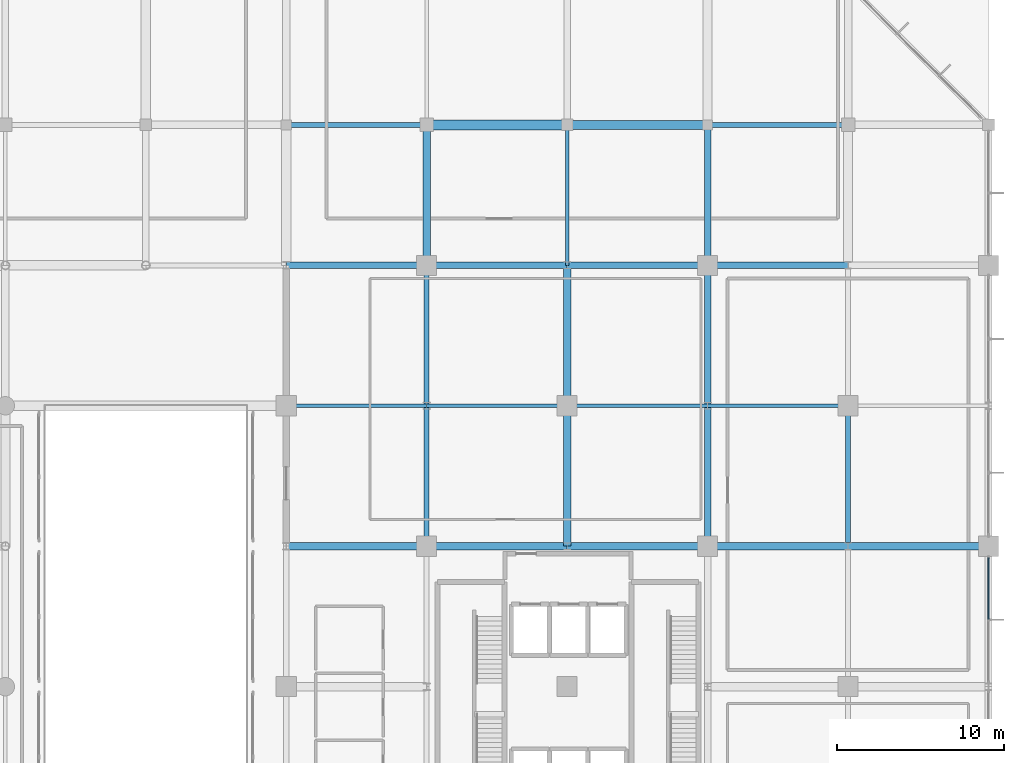
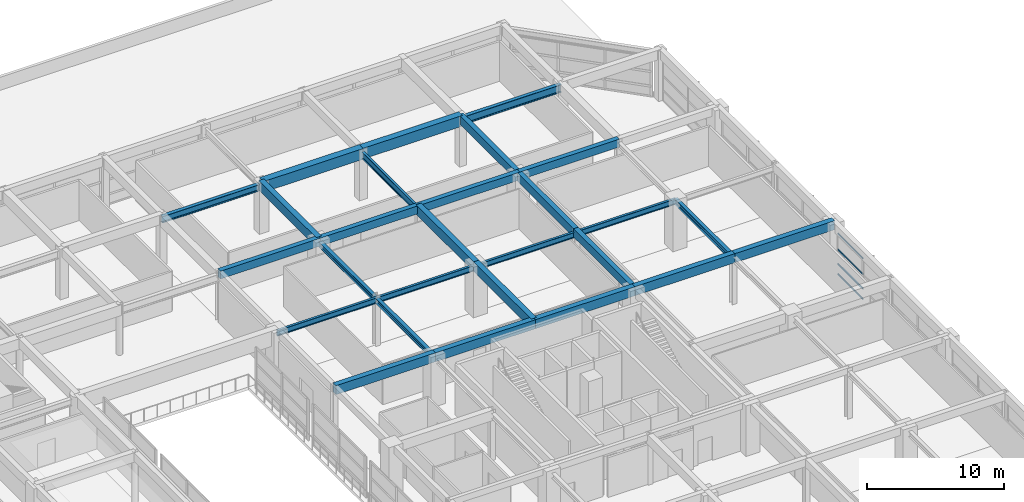
# One storey, part 32 of 60: 27 beams, 4 members, 1 element without a shape of its own.
"""IFC4 building model written with IfcOpenShell, lengths in metres."""

from ifc_helpers import new_model, si_unit, direction, frame, origin, origin_2d, place, context, subcontext, project, spatial, rectangle, i_section, extrude, material, material_profile, profile_set, type_object, element, aggregate, save


model = new_model("IFC4")

# Units and contexts
model_context = context("Model", 3, precision=1e-05, world=origin(), true_north=direction((0.0, 1.0)))
body_context = subcontext(model_context, "Body", "Model", "MODEL_VIEW")
ifc_project = project(units=[si_unit("LENGTHUNIT", "METRE"), si_unit("AREAUNIT", "SQUARE_METRE"), si_unit("VOLUMEUNIT", "CUBIC_METRE"), si_unit("PLANEANGLEUNIT", "RADIAN"), si_unit("MASSUNIT", "GRAM", prefix="KILO")], contexts=[model_context])

# Site, building, storey
site_placement = place(None, origin())
site = spatial("IfcSite", under=ifc_project, at=site_placement, CompositionType="ELEMENT")
building_placement = place(site_placement, origin())
building = spatial("IfcBuilding", under=site, at=building_placement, Name="Xuanlan Plaza Opera House", CompositionType="ELEMENT")
storey_placement = place(building_placement, frame((0.0, 0.0, 9.89990234375)))
storey = spatial("IfcBuildingStorey", under=building, at=storey_placement, Name="L02", CompositionType="ELEMENT", Elevation=9.89990234375)

# Curtain wall, members
ifc_material_1 = material(Name="Anodised Aluminium 6063-T6 and Low-E Glass", Category="aluminium")
curtain_wall_type = type_object("IfcCurtainWallType", Name="ENV-CW-CW-04", PredefinedType="USERDEFINED", material=ifc_material_1)
curtain_wall_placement = place(storey_placement, origin())
curtain_wall = element("IfcCurtainWall", 1, at=curtain_wall_placement, inside=storey, type_object=curtain_wall_type, Name="Unitised Curtain Wall L02-024", ObjectType="UNITISED CURTAIN WALL", PredefinedType="USERDEFINED")
ifc_material_2 = material(Name="Anodised Aluminium 6063-T6", Category="aluminium")
ifc_material_profile_1 = material_profile(ifc_material_2, rectangle(XDim=0.070068359375, YDim=0.135009765625, at=origin_2d()), Name="ALU-T 70x135")
ifc_profile_set_1 = profile_set([ifc_material_profile_1], Name="Anodised Aluminium 6063-T6")
member_type = type_object("IfcMemberType", Name="ENV-CWT-02", PredefinedType="USERDEFINED", material=ifc_profile_set_1)
member_1_placement = place(storey_placement, frame((168.0, 62.841064453125, 0.03515625), z_axis=(0.0, 1.0, 0.0), x_axis=(-1.0, 0.0, 0.0)))
member_1 = element("IfcMember", 2, at=member_1_placement, type_object=member_type, Name="CW-04 transom 2.1", ObjectType="TRANSOM", PredefinedType="USERDEFINED", context=body_context, shape_type="SweptSolid", body=[
    extrude(rectangle(XDim=0.070068359375, YDim=0.135009765625, at=origin_2d()), origin(), (0.0, 0.0, 1.0), 3.663818359375),
])
member_2_placement = place(storey_placement, frame((168.0, 62.841064453125, 0.9501953125), z_axis=(0.0, 1.0, 0.0), x_axis=(-1.0, 0.0, 0.0)))
member_2 = element("IfcMember", 3, at=member_2_placement, type_object=member_type, Name="CW-04 transom 2.2", ObjectType="TRANSOM", PredefinedType="USERDEFINED", context=body_context, shape_type="SweptSolid", body=[
    extrude(rectangle(XDim=0.070068359375, YDim=0.135009765625, at=origin_2d()), origin(), (0.0, 0.0, 1.0), 3.663818359375),
])
member_3_placement = place(storey_placement, frame((168.0, 62.841064453125, 2.25), z_axis=(0.0, 1.0, 0.0), x_axis=(-1.0, 0.0, 0.0)))
member_3 = element("IfcMember", 4, at=member_3_placement, type_object=member_type, Name="CW-04 transom 2.3", ObjectType="TRANSOM", PredefinedType="USERDEFINED", context=body_context, shape_type="SweptSolid", body=[
    extrude(rectangle(XDim=0.070068359375, YDim=0.135009765625, at=origin_2d()), origin(), (0.0, 0.0, 1.0), 3.663818359375),
])
member_4_placement = place(storey_placement, frame((168.0, 62.841064453125, 3.64501953125), z_axis=(0.0, 1.0, 0.0), x_axis=(-1.0, 0.0, 0.0)))
member_4 = element("IfcMember", 5, at=member_4_placement, type_object=member_type, Name="CW-04 transom 2.4", ObjectType="TRANSOM", PredefinedType="USERDEFINED", context=body_context, shape_type="SweptSolid", body=[
    extrude(rectangle(XDim=0.070068359375, YDim=0.135009765625, at=origin_2d()), origin(), (0.0, 0.0, 1.0), 3.663818359375),
])
aggregate(curtain_wall, [member_1, member_2, member_3, member_4])

# Beams
ifc_material_3 = material(Name="Concrete C50", Category="concrete")
ifc_material_profile_2 = material_profile(ifc_material_3, rectangle(XDim=0.60009765625, YDim=0.949951171875, at=origin_2d()), Name="RC-BM 600x950")
ifc_profile_set_2 = profile_set([ifc_material_profile_2], Name="Concrete C50")
beam_type_1 = type_object("IfcBeamType", Name="STR-BM-B-01", PredefinedType="BEAM", material=ifc_profile_set_2)
beam_1_placement = place(storey_placement, frame((134.39990234375, 92.39990234375, 4.025146484375), z_axis=(1.0, 0.0, 0.0), x_axis=(0.0, 1.0, 0.0)))
element("IfcBeam", 6, at=beam_1_placement, inside=storey, type_object=beam_type_1, Name="Grid Beam X L02 17-18/L", PredefinedType="BEAM", context=body_context, shape_type="SweptSolid", body=[
    extrude(rectangle(XDim=0.60009765625, YDim=0.949951171875, at=origin_2d()), origin(), (0.0, 0.0, 1.0), 8.400146484375),
])
ifc_material_profile_3 = material_profile(ifc_material_3, rectangle(XDim=0.550048828125, YDim=0.949951171875, at=origin_2d()), Name="RC-BM 550x950")
ifc_profile_set_3 = profile_set([ifc_material_profile_3], Name="Concrete C50")
beam_type_2 = type_object("IfcBeamType", Name="STR-BM-B-02", PredefinedType="BEAM", material=ifc_profile_set_3)
beam_2_placement = place(storey_placement, frame((142.800048828125, 92.39990234375, 4.025146484375), z_axis=(1.0, 0.0, 0.0), x_axis=(0.0, 1.0, 0.0)))
element("IfcBeam", 7, at=beam_2_placement, inside=storey, type_object=beam_type_2, Name="Grid Beam X L02 18-19/L", PredefinedType="BEAM", context=body_context, shape_type="SweptSolid", body=[
    extrude(rectangle(XDim=0.550048828125, YDim=0.949951171875, at=origin_2d()), origin(), (0.0, 0.0, 1.0), 8.39990234375),
])
ifc_material_4 = material(Name="Concrete C40", Category="concrete")
ifc_material_profile_4 = material_profile(ifc_material_4, rectangle(XDim=0.449951171875, YDim=0.85009765625, at=origin_2d()), Name="RC-BM 450x850")
ifc_profile_set_4 = profile_set([ifc_material_profile_4], Name="Concrete C40")
beam_type_3 = type_object("IfcBeamType", Name="STR-BM-B-04", PredefinedType="BEAM", material=ifc_profile_set_4)
beam_3_placement = place(storey_placement, frame((134.39990234375, 84.0, 4.0751953125), z_axis=(0.0, 1.0, 0.0), x_axis=(-1.0, 0.0, 0.0)))
element("IfcBeam", 8, at=beam_3_placement, inside=storey, type_object=beam_type_3, Name="Grid Beam Y L02 17/K-L", PredefinedType="BEAM", context=body_context, shape_type="SweptSolid", body=[
    extrude(rectangle(XDim=0.449951171875, YDim=0.85009765625, at=origin_2d()), origin(), (0.0, 0.0, 1.0), 8.39990234375),
])
beam_4_placement = place(storey_placement, frame((142.800048828125, 67.199951171875, 4.0751953125), z_axis=(0.0, 1.0, 0.0), x_axis=(-1.0, 0.0, 0.0)))
element("IfcBeam", 9, at=beam_4_placement, inside=storey, type_object=beam_type_3, Name="Grid Beam Y L02 18/I-J", PredefinedType="BEAM", context=body_context, shape_type="SweptSolid", body=[
    extrude(rectangle(XDim=0.449951171875, YDim=0.85009765625, at=origin_2d()), origin(), (0.0, 0.0, 1.0), 8.400146484375),
])
beam_5_placement = place(storey_placement, frame((142.800048828125, 75.60009765625, 4.0751953125), z_axis=(0.0, 1.0, 0.0), x_axis=(-1.0, 0.0, 0.0)))
element("IfcBeam", 10, at=beam_5_placement, inside=storey, type_object=beam_type_3, Name="Grid Beam Y L02 18/J-K", PredefinedType="BEAM", context=body_context, shape_type="SweptSolid", body=[
    extrude(rectangle(XDim=0.449951171875, YDim=0.85009765625, at=origin_2d()), origin(), (0.0, 0.0, 1.0), 8.39990234375),
])
ifc_material_profile_5 = material_profile(ifc_material_4, rectangle(XDim=0.449951171875, YDim=0.800048828125, at=origin_2d()), Name="RC-BM 450x800")
ifc_profile_set_5 = profile_set([ifc_material_profile_5], Name="Concrete C40")
beam_type_4 = type_object("IfcBeamType", Name="STR-BM-B-05", PredefinedType="BEAM", material=ifc_profile_set_5)
beam_6_placement = place(storey_placement, frame((126.0, 67.199951171875, 4.10009765625), z_axis=(1.0, 0.0, 0.0), x_axis=(0.0, 1.0, 0.0)))
element("IfcBeam", 11, at=beam_6_placement, inside=storey, type_object=beam_type_4, Name="Grid Beam X L02 16-17/I", PredefinedType="BEAM", context=body_context, shape_type="SweptSolid", body=[
    extrude(rectangle(XDim=0.449951171875, YDim=0.800048828125, at=origin_2d()), origin(), (0.0, 0.0, 1.0), 8.39990234375),
])
beam_7_placement = place(storey_placement, frame((134.39990234375, 67.199951171875, 4.10009765625), z_axis=(1.0, 0.0, 0.0), x_axis=(0.0, 1.0, 0.0)))
element("IfcBeam", 12, at=beam_7_placement, inside=storey, type_object=beam_type_4, Name="Grid Beam X L02 17-18/I", PredefinedType="BEAM", context=body_context, shape_type="SweptSolid", body=[
    extrude(rectangle(XDim=0.449951171875, YDim=0.800048828125, at=origin_2d()), origin(), (0.0, 0.0, 1.0), 8.400146484375),
])
beam_8_placement = place(storey_placement, frame((142.800048828125, 67.199951171875, 4.10009765625), z_axis=(1.0, 0.0, 0.0), x_axis=(0.0, 1.0, 0.0)))
element("IfcBeam", 13, at=beam_8_placement, inside=storey, type_object=beam_type_4, Name="Grid Beam X L02 18-19/I", PredefinedType="BEAM", context=body_context, shape_type="SweptSolid", body=[
    extrude(rectangle(XDim=0.449951171875, YDim=0.800048828125, at=origin_2d()), origin(), (0.0, 0.0, 1.0), 8.39990234375),
])
beam_9_placement = place(storey_placement, frame((151.199951171875, 67.199951171875, 4.10009765625), z_axis=(1.0, 0.0, 0.0), x_axis=(0.0, 1.0, 0.0)))
element("IfcBeam", 14, at=beam_9_placement, inside=storey, type_object=beam_type_4, Name="Grid Beam X L02 19-20/I", PredefinedType="BEAM", context=body_context, shape_type="SweptSolid", body=[
    extrude(rectangle(XDim=0.449951171875, YDim=0.800048828125, at=origin_2d()), origin(), (0.0, 0.0, 1.0), 8.400146484375),
])
beam_10_placement = place(storey_placement, frame((159.60009765625, 67.199951171875, 4.10009765625), z_axis=(1.0, 0.0, 0.0), x_axis=(0.0, 1.0, 0.0)))
element("IfcBeam", 15, at=beam_10_placement, inside=storey, type_object=beam_type_4, Name="Grid Beam X L02 20-21/I", PredefinedType="BEAM", context=body_context, shape_type="SweptSolid", body=[
    extrude(rectangle(XDim=0.449951171875, YDim=0.800048828125, at=origin_2d()), origin(), (0.0, 0.0, 1.0), 8.39990234375),
])
ifc_material_profile_6 = material_profile(ifc_material_4, rectangle(XDim=0.39990234375, YDim=0.75, at=origin_2d()), Name="RC-BM 400x750")
ifc_profile_set_6 = profile_set([ifc_material_profile_6], Name="Concrete C40")
beam_type_5 = type_object("IfcBeamType", Name="STR-BM-B-06", PredefinedType="BEAM", material=ifc_profile_set_6)
beam_11_placement = place(storey_placement, frame((151.199951171875, 67.199951171875, 4.125), z_axis=(0.0, 1.0, 0.0), x_axis=(-1.0, 0.0, 0.0)))
element("IfcBeam", 16, at=beam_11_placement, inside=storey, type_object=beam_type_5, Name="Grid Beam Y L02 19/I-J", PredefinedType="BEAM", context=body_context, shape_type="SweptSolid", body=[
    extrude(rectangle(XDim=0.39990234375, YDim=0.75, at=origin_2d()), origin(), (0.0, 0.0, 1.0), 8.400146484375),
])
for number, where, z_axis, x_axis, name in (
    (17, (151.199951171875, 75.60009765625, 4.125), (0.0, 1.0, 0.0), (-1.0, 0.0, 0.0), "Grid Beam Y L02 19/J-K"),
    (18, (151.199951171875, 84.0, 4.125), (0.0, 1.0, 0.0), (-1.0, 0.0, 0.0), "Grid Beam Y L02 19/K-L"),
):
    element("IfcBeam", number, at=place(storey_placement, frame(where, z_axis=z_axis, x_axis=x_axis)), inside=storey, type_object=beam_type_5, Name=name, PredefinedType="BEAM", context=body_context, shape_type="SweptSolid", body=[
        extrude(rectangle(XDim=0.39990234375, YDim=0.75, at=origin_2d()), origin(), (0.0, 0.0, 1.0), 8.39990234375),
    ])
ifc_material_profile_7 = material_profile(ifc_material_4, rectangle(XDim=0.39990234375, YDim=0.699951171875, at=origin_2d()), Name="RC-BM 400x700")
ifc_profile_set_7 = profile_set([ifc_material_profile_7], Name="Concrete C40")
beam_type_6 = type_object("IfcBeamType", Name="STR-BM-B-07", PredefinedType="BEAM", material=ifc_profile_set_7)
beam_12_placement = place(storey_placement, frame((126.0, 84.0, 4.150146484375), z_axis=(1.0, 0.0, 0.0), x_axis=(0.0, 1.0, 0.0)))
element("IfcBeam", 19, at=beam_12_placement, inside=storey, type_object=beam_type_6, Name="Grid Beam X L02 16-17/K", PredefinedType="BEAM", context=body_context, shape_type="SweptSolid", body=[
    extrude(rectangle(XDim=0.39990234375, YDim=0.699951171875, at=origin_2d()), origin(), (0.0, 0.0, 1.0), 8.39990234375),
])
beam_13_placement = place(storey_placement, frame((134.39990234375, 84.0, 4.150146484375), z_axis=(1.0, 0.0, 0.0), x_axis=(0.0, 1.0, 0.0)))
element("IfcBeam", 20, at=beam_13_placement, inside=storey, type_object=beam_type_6, Name="Grid Beam X L02 17-18/K", PredefinedType="BEAM", context=body_context, shape_type="SweptSolid", body=[
    extrude(rectangle(XDim=0.39990234375, YDim=0.699951171875, at=origin_2d()), origin(), (0.0, 0.0, 1.0), 8.400146484375),
])
beam_14_placement = place(storey_placement, frame((142.800048828125, 84.0, 4.150146484375), z_axis=(1.0, 0.0, 0.0), x_axis=(0.0, 1.0, 0.0)))
element("IfcBeam", 21, at=beam_14_placement, inside=storey, type_object=beam_type_6, Name="Grid Beam X L02 18-19/K", PredefinedType="BEAM", context=body_context, shape_type="SweptSolid", body=[
    extrude(rectangle(XDim=0.39990234375, YDim=0.699951171875, at=origin_2d()), origin(), (0.0, 0.0, 1.0), 8.39990234375),
])
beam_15_placement = place(storey_placement, frame((151.199951171875, 84.0, 4.150146484375), z_axis=(1.0, 0.0, 0.0), x_axis=(0.0, 1.0, 0.0)))
element("IfcBeam", 22, at=beam_15_placement, inside=storey, type_object=beam_type_6, Name="Grid Beam X L02 19-20/K", PredefinedType="BEAM", context=body_context, shape_type="SweptSolid", body=[
    extrude(rectangle(XDim=0.39990234375, YDim=0.699951171875, at=origin_2d()), origin(), (0.0, 0.0, 1.0), 8.400146484375),
])
ifc_material_5 = material(Name="Steel Q355B", Category="steel")
ifc_material_profile_8 = material_profile(ifc_material_5, i_section(OverallWidth=0.300048828125, OverallDepth=0.699951171875, WebThickness=0.012939453125, FlangeThickness=0.02392578125, FilletRadius=0.02392578125, at=origin_2d()), Name="HN 700x300x13x24")
ifc_profile_set_8 = profile_set([ifc_material_profile_8], Name="Steel Q355B")
beam_type_7 = type_object("IfcBeamType", Name="STR-BM-SB-03", PredefinedType="BEAM", material=ifc_profile_set_8)
beam_16_placement = place(storey_placement, frame((151.199951171875, 92.39990234375, 3.885009765625), z_axis=(1.0, 0.0, 0.0), x_axis=(0.0, 1.0, 0.0)))
element("IfcBeam", 23, at=beam_16_placement, inside=storey, type_object=beam_type_7, Name="Grid Beam X L02 19-20/L", PredefinedType="BEAM", context=body_context, shape_type="SweptSolid", body=[
    extrude(i_section(OverallWidth=0.300048828125, OverallDepth=0.699951171875, WebThickness=0.012939453125, FlangeThickness=0.02392578125, FilletRadius=0.02392578125, at=origin_2d()), origin(), (0.0, 0.0, 1.0), 8.400146484375),
])
ifc_material_profile_9 = material_profile(ifc_material_5, i_section(OverallWidth=0.199951171875, OverallDepth=0.60009765625, WebThickness=0.010986328125, FlangeThickness=0.01708984375, FilletRadius=0.02197265625, at=origin_2d()), Name="HN 600x200x11x17")
ifc_profile_set_9 = profile_set([ifc_material_profile_9], Name="Steel Q355B")
beam_type_8 = type_object("IfcBeamType", Name="STR-BM-SB-04", PredefinedType="BEAM", material=ifc_profile_set_9)
beam_17_placement = place(storey_placement, frame((142.800048828125, 84.0, 3.93505859375), z_axis=(0.0, 1.0, 0.0), x_axis=(-1.0, 0.0, 0.0)))
element("IfcBeam", 24, at=beam_17_placement, inside=storey, type_object=beam_type_8, Name="Grid Beam Y L02 18/K-L", PredefinedType="BEAM", context=body_context, shape_type="SweptSolid", body=[
    extrude(i_section(OverallWidth=0.199951171875, OverallDepth=0.60009765625, WebThickness=0.010986328125, FlangeThickness=0.01708984375, FilletRadius=0.02197265625, at=origin_2d()), origin(), (0.0, 0.0, 1.0), 8.39990234375),
])
ifc_material_profile_10 = material_profile(ifc_material_5, i_section(OverallWidth=0.199951171875, OverallDepth=0.5, WebThickness=0.010009765625, FlangeThickness=0.01611328125, FilletRadius=0.02001953125, at=origin_2d()), Name="HN 500x200x10x16")
ifc_profile_set_10 = profile_set([ifc_material_profile_10], Name="Steel Q355B")
beam_type_9 = type_object("IfcBeamType", Name="STR-BM-SB-05", PredefinedType="BEAM", material=ifc_profile_set_10)
beam_18_placement = place(storey_placement, frame((126.0, 75.60009765625, 3.985107421875), z_axis=(1.0, 0.0, 0.0), x_axis=(0.0, 1.0, 0.0)))
element("IfcBeam", 25, at=beam_18_placement, inside=storey, type_object=beam_type_9, Name="Grid Beam X L02 16-17/J", PredefinedType="BEAM", context=body_context, shape_type="SweptSolid", body=[
    extrude(i_section(OverallWidth=0.199951171875, OverallDepth=0.5, WebThickness=0.010009765625, FlangeThickness=0.01611328125, FilletRadius=0.02001953125, at=origin_2d()), origin(), (0.0, 0.0, 1.0), 8.39990234375),
])
beam_19_placement = place(storey_placement, frame((134.39990234375, 75.60009765625, 3.985107421875), z_axis=(1.0, 0.0, 0.0), x_axis=(0.0, 1.0, 0.0)))
element("IfcBeam", 26, at=beam_19_placement, inside=storey, type_object=beam_type_9, Name="Grid Beam X L02 17-18/J", PredefinedType="BEAM", context=body_context, shape_type="SweptSolid", body=[
    extrude(i_section(OverallWidth=0.199951171875, OverallDepth=0.5, WebThickness=0.010009765625, FlangeThickness=0.01611328125, FilletRadius=0.02001953125, at=origin_2d()), origin(), (0.0, 0.0, 1.0), 8.400146484375),
])
beam_20_placement = place(storey_placement, frame((142.800048828125, 75.60009765625, 3.985107421875), z_axis=(1.0, 0.0, 0.0), x_axis=(0.0, 1.0, 0.0)))
element("IfcBeam", 27, at=beam_20_placement, inside=storey, type_object=beam_type_9, Name="Grid Beam X L02 18-19/J", PredefinedType="BEAM", context=body_context, shape_type="SweptSolid", body=[
    extrude(i_section(OverallWidth=0.199951171875, OverallDepth=0.5, WebThickness=0.010009765625, FlangeThickness=0.01611328125, FilletRadius=0.02001953125, at=origin_2d()), origin(), (0.0, 0.0, 1.0), 8.39990234375),
])
beam_21_placement = place(storey_placement, frame((151.199951171875, 75.60009765625, 3.985107421875), z_axis=(1.0, 0.0, 0.0), x_axis=(0.0, 1.0, 0.0)))
element("IfcBeam", 28, at=beam_21_placement, inside=storey, type_object=beam_type_9, Name="Grid Beam X L02 19-20/J", PredefinedType="BEAM", context=body_context, shape_type="SweptSolid", body=[
    extrude(i_section(OverallWidth=0.199951171875, OverallDepth=0.5, WebThickness=0.010009765625, FlangeThickness=0.01611328125, FilletRadius=0.02001953125, at=origin_2d()), origin(), (0.0, 0.0, 1.0), 8.400146484375),
])
ifc_material_profile_11 = material_profile(ifc_material_5, i_section(OverallWidth=0.300048828125, OverallDepth=0.587890625, WebThickness=0.011962890625, FlangeThickness=0.02001953125, FilletRadius=0.02392578125, at=origin_2d()), Name="HM 588x300x12x20")
ifc_profile_set_11 = profile_set([ifc_material_profile_11], Name="Steel Q355B")
beam_type_10 = type_object("IfcBeamType", Name="STR-BM-SB-06", PredefinedType="BEAM", material=ifc_profile_set_11)
beam_22_placement = place(storey_placement, frame((126.0, 92.39990234375, 3.941162109375), z_axis=(1.0, 0.0, 0.0), x_axis=(0.0, 1.0, 0.0)))
element("IfcBeam", 29, at=beam_22_placement, inside=storey, type_object=beam_type_10, Name="Grid Beam X L02 16-17/L", PredefinedType="BEAM", context=body_context, shape_type="SweptSolid", body=[
    extrude(i_section(OverallWidth=0.300048828125, OverallDepth=0.587890625, WebThickness=0.011962890625, FlangeThickness=0.02001953125, FilletRadius=0.02392578125, at=origin_2d()), origin(), (0.0, 0.0, 1.0), 8.39990234375),
])
ifc_material_profile_12 = material_profile(ifc_material_5, i_section(OverallWidth=0.300048828125, OverallDepth=0.488037109375, WebThickness=0.010986328125, FlangeThickness=0.01806640625, FilletRadius=0.02197265625, at=origin_2d()), Name="HM 488x300x11x18")
ifc_profile_set_12 = profile_set([ifc_material_profile_12], Name="Steel Q355B")
beam_type_11 = type_object("IfcBeamType", Name="STR-BM-SB-07", PredefinedType="BEAM", material=ifc_profile_set_12)
beam_23_placement = place(storey_placement, frame((159.60009765625, 67.199951171875, 3.9912109375), z_axis=(0.0, 1.0, 0.0), x_axis=(-1.0, 0.0, 0.0)))
element("IfcBeam", 30, at=beam_23_placement, inside=storey, type_object=beam_type_11, Name="Grid Beam Y L02 20/I-J", PredefinedType="BEAM", context=body_context, shape_type="SweptSolid", body=[
    extrude(i_section(OverallWidth=0.300048828125, OverallDepth=0.488037109375, WebThickness=0.010986328125, FlangeThickness=0.01806640625, FilletRadius=0.02197265625, at=origin_2d()), origin(), (0.0, 0.0, 1.0), 8.400146484375),
])
ifc_material_profile_13 = material_profile(ifc_material_5, i_section(OverallWidth=0.300048828125, OverallDepth=0.43994140625, WebThickness=0.010986328125, FlangeThickness=0.01806640625, FilletRadius=0.02001953125, at=origin_2d()), Name="HM 440x300x11x18")
ifc_profile_set_13 = profile_set([ifc_material_profile_13], Name="Steel Q355B")
beam_type_12 = type_object("IfcBeamType", Name="STR-BM-SB-08", PredefinedType="BEAM", material=ifc_profile_set_13)
beam_24_placement = place(storey_placement, frame((134.39990234375, 67.199951171875, 4.01513671875), z_axis=(0.0, 1.0, 0.0), x_axis=(-1.0, 0.0, 0.0)))
element("IfcBeam", 31, at=beam_24_placement, inside=storey, type_object=beam_type_12, Name="Grid Beam Y L02 17/I-J", PredefinedType="BEAM", context=body_context, shape_type="SweptSolid", body=[
    extrude(i_section(OverallWidth=0.300048828125, OverallDepth=0.43994140625, WebThickness=0.010986328125, FlangeThickness=0.01806640625, FilletRadius=0.02001953125, at=origin_2d()), origin(), (0.0, 0.0, 1.0), 8.400146484375),
])
beam_25_placement = place(storey_placement, frame((134.39990234375, 75.60009765625, 4.01513671875), z_axis=(0.0, 1.0, 0.0), x_axis=(-1.0, 0.0, 0.0)))
element("IfcBeam", 32, at=beam_25_placement, inside=storey, type_object=beam_type_12, Name="Grid Beam Y L02 17/J-K", PredefinedType="BEAM", context=body_context, shape_type="SweptSolid", body=[
    extrude(i_section(OverallWidth=0.300048828125, OverallDepth=0.43994140625, WebThickness=0.010986328125, FlangeThickness=0.01806640625, FilletRadius=0.02001953125, at=origin_2d()), origin(), (0.0, 0.0, 1.0), 8.39990234375),
])

save(model, "model.ifc")
